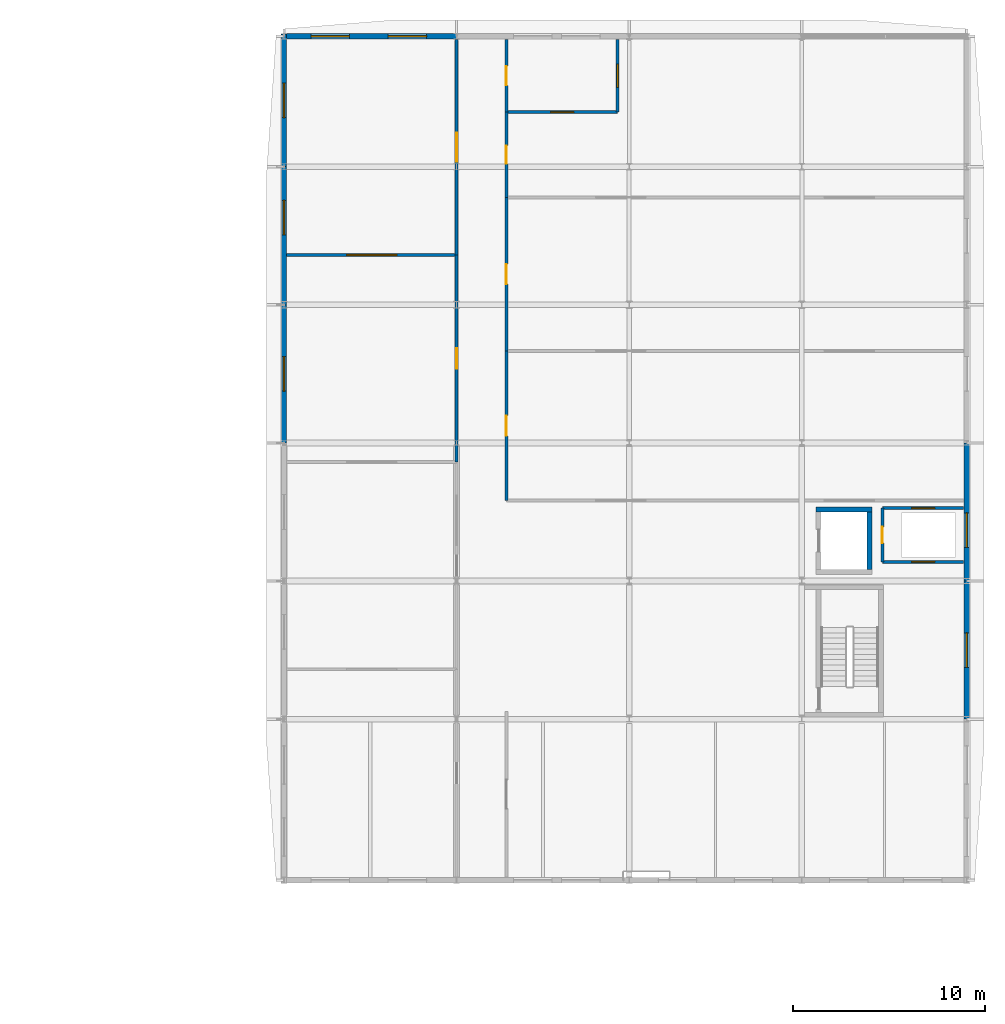
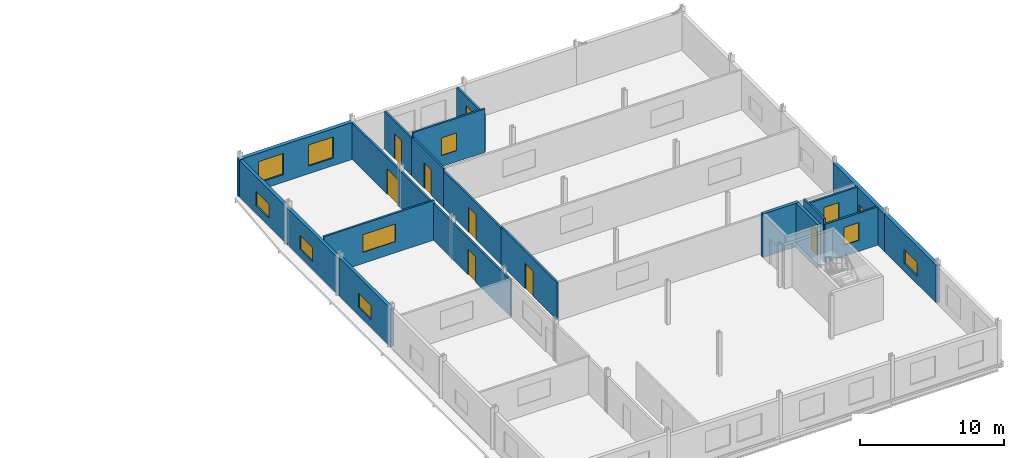
# One storey, part 25 of 30: 20 walls, 12 windows, 7 doors, 19 openings.
"""IFC4 building model written with IfcOpenShell, lengths in metres."""

import ifcopenshell
import ifcopenshell.guid

model = None  # the IFC model being written
_history = None  # IfcOwnerHistory: only IFC2X3 demands one
_inside = {}  # id of a spatial element -> (the spatial element, [elements in it])
_under = {}  # id of a project, library or spatial element -> (it, [spatial elements below it])
_declared = {}  # id of a project -> (the project, [libraries it declares])
_typed = {}  # id of a type object -> (the type object, [elements of that type])
_made_of = {}  # id of a material, layer set ... -> (it, [elements and type objects made of it])


def new_model(schema):
    """Start an empty IFC model of exactly this schema.

    Asked for "IFC4X3", IfcOpenShell would pick the latest addendum, in which some entities
    have other attributes; the version numbers below select the first issue.
    IFC2X3 requires an IfcOwnerHistory on every rooted entity: one is made here for all.
    """
    global model, _history
    if schema == "IFC4X3":
        model = ifcopenshell.file(schema_version=(4, 3, 0, 0))
    else:
        model = ifcopenshell.file(schema=schema)
    _inside.clear()
    _under.clear()
    _declared.clear()
    _typed.clear()
    _made_of.clear()
    _history = None
    if model.schema == "IFC2X3":
        org = make("IfcOrganization", Name="unknown")
        user = make(
            "IfcPersonAndOrganization",
            ThePerson=make("IfcPerson", FamilyName="unknown"),
            TheOrganization=org,
        )
        app = make(
            "IfcApplication",
            ApplicationDeveloper=org,
            Version="unknown",
            ApplicationFullName="unknown",
            ApplicationIdentifier="unknown",
        )
        _history = make(
            "IfcOwnerHistory",
            OwningUser=user,
            OwningApplication=app,
            ChangeAction="ADDED",
            CreationDate=0,
        )
    return model


def make(cls, **values):
    """One entity of the class cls with the attributes given. An attribute that is None is left unset."""
    return model.create_entity(
        cls, **{name: value for name, value in values.items() if value is not None}
    )


def rooted(cls, **values):
    """An entity with a GlobalId (a new one), such as an element, a storey or a relation."""
    return make(cls, GlobalId=ifcopenshell.guid.new(), OwnerHistory=_history, **values)


def si_unit(unit_type, name, prefix=None):
    """IfcSIUnit, for example si_unit("LENGTHUNIT", "METRE", prefix="MILLI")."""
    return make("IfcSIUnit", UnitType=unit_type, Prefix=prefix, Name=name)


def assignment(units):
    """IfcUnitAssignment: the units of a project."""
    return None if units is None else make("IfcUnitAssignment", Units=units)


def point(xyz):
    """IfcCartesianPoint."""
    return None if xyz is None else make("IfcCartesianPoint", Coordinates=xyz)


def direction(xyz):
    """IfcDirection."""
    return None if xyz is None else make("IfcDirection", DirectionRatios=xyz)


def frame(location, z_axis=None, x_axis=None):
    """IfcAxis2Placement3D, a coordinate frame: its origin and axes. An axis left out is left unset."""
    return make(
        "IfcAxis2Placement3D",
        Location=point(location),
        Axis=direction(z_axis),
        RefDirection=direction(x_axis),
    )


def frame_2d(location, x_axis=None):
    """IfcAxis2Placement2D, a coordinate frame in the plane: its origin and x axis."""
    return make(
        "IfcAxis2Placement2D", Location=point(location), RefDirection=direction(x_axis)
    )


def origin():
    """The frame at (0, 0, 0) with its axes left unset."""
    return frame((0.0, 0.0, 0.0))


def place(relative_to, where):
    """IfcLocalPlacement: puts the frame where relative to a parent placement (None: the world)."""
    return make(
        "IfcLocalPlacement", PlacementRelTo=relative_to, RelativePlacement=where
    )


def context(
    kind, dimensions, precision=None, world=None, true_north=None, identifier=None
):
    """IfcGeometricRepresentationContext, for example the 3D "Model" context."""
    return make(
        "IfcGeometricRepresentationContext",
        ContextIdentifier=identifier,
        ContextType=kind,
        CoordinateSpaceDimension=dimensions,
        Precision=precision,
        WorldCoordinateSystem=world,
        TrueNorth=true_north,
    )


def subcontext(parent, identifier, kind, view, scale=None):
    """IfcGeometricRepresentationSubContext, for example "Body" below "Model"."""
    return make(
        "IfcGeometricRepresentationSubContext",
        ContextIdentifier=identifier,
        ContextType=kind,
        ParentContext=parent,
        TargetScale=scale,
        TargetView=view,
    )


def project(units=None, contexts=None):
    """IfcProject with its units and contexts."""
    return rooted(
        "IfcProject",
        Name="project",
        RepresentationContexts=contexts,
        UnitsInContext=assignment(units),
    )


def spatial(cls, under=None, at=None, **own):
    """A site, building, storey or space (cls), placed at a placement, below another one or the project."""
    s = rooted(cls, ObjectPlacement=at, **own)
    if under is not None:
        _under.setdefault(under.id(), (under, []))[1].append(s)
    return s


def profile(cls, at=None, kind="AREA", **sizes):
    """A parametric profile (cls). Its sizes go by their IFC names, for example OverallWidth=200.0."""
    return make(cls, ProfileType=kind, Position=at, **sizes)


def rectangle(**sizes):
    """IfcRectangleProfileDef."""
    return profile("IfcRectangleProfileDef", **sizes)


def extrude(swept, where, along, depth):
    """IfcExtrudedAreaSolid: the profile swept, set in the frame where, extruded along a direction by depth."""
    return make(
        "IfcExtrudedAreaSolid",
        SweptArea=swept,
        Position=where,
        ExtrudedDirection=direction(along),
        Depth=depth,
    )


def shape(context_of_items, identifier, shape_type, items):
    """IfcShapeRepresentation: the items that make up one representation, for example the "Body"."""
    return make(
        "IfcShapeRepresentation",
        ContextOfItems=context_of_items,
        RepresentationIdentifier=identifier,
        RepresentationType=shape_type,
        Items=items,
    )


def material(Name=None, Category=None):
    """IfcMaterial."""
    return make("IfcMaterial", Name=Name, Category=Category)


def layer(
    of_material, thickness, ventilated=None, Name=None, Category=None, Priority=None
):
    """IfcMaterialLayer: one layer of a wall or slab, of a material (None: an air gap)."""
    return make(
        "IfcMaterialLayer",
        Material=of_material,
        LayerThickness=thickness,
        IsVentilated=ventilated,
        Name=Name,
        Category=Category,
        Priority=Priority,
    )


def layer_set(layers, Name=None):
    """IfcMaterialLayerSet."""
    return make("IfcMaterialLayerSet", MaterialLayers=layers, LayerSetName=Name)


def made_of(thing, what):
    """Note that an element or type object is made of a material, layer set ...; save() writes the relation."""
    if what is not None:
        _made_of.setdefault(what.id(), (what, []))[1].append(thing)
    return thing


def type_object(cls, material=None, **own):
    """A type object (cls), such as IfcWallType, which elements share."""
    return made_of(rooted(cls, **own), material)


def element(
    cls,
    number,
    at=None,
    inside=None,
    cuts=None,
    type_object=None,
    material=None,
    context=None,
    identifier="Body",
    shape_type=None,
    held_by="IfcProductDefinitionShape",
    body=None,
    shapes=None,
    **own,
):
    """One element of the class cls, such as IfcWall. Its Tag is "e" and its number.

    at: its placement. inside: the storey or other place that contains it. cuts: it is an
    opening in that element (IfcRelVoidsElement). A single representation is given by context,
    identifier, shape_type and body (its items); several are given by shapes. held_by: the class
    of the entity that holds the representations. save() writes the other relations.
    """
    e = rooted(cls, Tag="e%d" % number, ObjectPlacement=at, **own)
    if body is not None:
        shapes = [shape(context, identifier, shape_type, body)]
    if shapes is not None:
        e.Representation = make(held_by, Representations=shapes)
    if inside is not None:
        _inside.setdefault(inside.id(), (inside, []))[1].append(e)
    if cuts is not None:
        rooted(
            "IfcRelVoidsElement", RelatingBuildingElement=cuts, RelatedOpeningElement=e
        )
    if type_object is not None:
        _typed.setdefault(type_object.id(), (type_object, []))[1].append(e)
    return made_of(e, material)


def fill(opening, filler):
    """IfcRelFillsElement: the door or window that sits in an opening."""
    return rooted(
        "IfcRelFillsElement",
        RelatingOpeningElement=opening,
        RelatedBuildingElement=filler,
    )


def aggregate(whole, parts):
    """IfcRelAggregates: a whole, such as a stair, and the parts it consists of."""
    return rooted("IfcRelAggregates", RelatingObject=whole, RelatedObjects=parts)


def save(model, path):
    """Write the relations noted so far, then the file.

    IfcRelAggregates (storeys below a building ...), IfcRelContainedInSpatialStructure (elements
    in a storey), IfcRelDefinesByType, IfcRelAssociatesMaterial and IfcRelDeclares: one each for
    every whole, place, type object, material and project.
    """
    for whole, parts in _under.values():
        aggregate(whole, parts)
    for where, things in _inside.values():
        rooted(
            "IfcRelContainedInSpatialStructure",
            RelatedElements=things,
            RelatingStructure=where,
        )
    for kind, things in _typed.values():
        rooted("IfcRelDefinesByType", RelatedObjects=things, RelatingType=kind)
    for what, things in _made_of.values():
        rooted("IfcRelAssociatesMaterial", RelatedObjects=things, RelatingMaterial=what)
    for by, libraries in _declared.values():
        rooted("IfcRelDeclares", RelatingContext=by, RelatedDefinitions=libraries)
    model.write(path)


model = new_model("IFC4")

# Units and contexts
model_context = context("Model", 3, precision=1e-05, world=origin(), true_north=direction((0.0, 1.0)))
body_context = subcontext(model_context, "Body", "Model", "MODEL_VIEW")
ifc_project = project(units=[si_unit("LENGTHUNIT", "METRE"), si_unit("AREAUNIT", "SQUARE_METRE"), si_unit("VOLUMEUNIT", "CUBIC_METRE"), si_unit("PLANEANGLEUNIT", "RADIAN"), si_unit("MASSUNIT", "GRAM", prefix="KILO")], contexts=[model_context])

# Site, building, storey
site_placement = place(None, origin())
site = spatial("IfcSite", under=ifc_project, at=site_placement, CompositionType="ELEMENT")
building_placement = place(site_placement, origin())
building = spatial("IfcBuilding", under=site, at=building_placement, Name="Vinh Khe Railworks Police Headquarters", CompositionType="ELEMENT")
storey_placement = place(building_placement, frame((0.0, 0.0, 21.0)))
storey = spatial("IfcBuildingStorey", under=building, at=storey_placement, Name="L05", CompositionType="ELEMENT", Elevation=21.0)

# Walls
ifc_material_1 = material(Name="Concrete C40/50 (B40)", Category="concrete")
ifc_layer_1 = layer(ifc_material_1, 0.25)
ifc_layer_set_1 = layer_set([ifc_layer_1], Name="Concrete C40/50 (B40)")
wall_type_1 = type_object("IfcWallType", Name="Core Shear Wall 250", PredefinedType="SHEAR", material=ifc_layer_set_1)
wall_1_placement = place(storey_placement, frame((105.75, 141.72509765625, 0.0), z_axis=(0.0, 0.0, 1.0), x_axis=(1.0, 0.0, 0.0)))
element("IfcWall", 1, at=wall_1_placement, inside=storey, type_object=wall_type_1, Name="Core C3 PL-N Lift Shaft Wall (L05)", PredefinedType="SHEAR", context=body_context, shape_type="SweptSolid", body=[
    extrude(rectangle(XDim=2.89990234375, YDim=0.25, at=frame_2d((1.449951171875, 0.0))), origin(), (0.0, 0.0, 1.0), 3.699951171875),
])
wall_2_placement = place(storey_placement, frame((108.52490234375, 138.60009765625, 0.0), z_axis=(0.0, 0.0, 1.0), x_axis=(0.0, 1.0, 0.0)))
element("IfcWall", 2, at=wall_2_placement, inside=storey, type_object=wall_type_1, Name="Core C3 PL-E Lift Shaft Wall (L05)", PredefinedType="SHEAR", context=body_context, shape_type="SweptSolid", body=[
    extrude(rectangle(XDim=3.0, YDim=0.25, at=frame_2d((1.5, 0.0))), origin(), (0.0, 0.0, 1.0), 3.699951171875),
])

# Wall, opening, window
ifc_material_2 = material(Name="Clay brickwork", Category="masonry")
ifc_layer_2 = layer(ifc_material_2, 0.260009765625)
ifc_layer_set_2 = layer_set([ifc_layer_2], Name="Clay brickwork")
wall_type_2 = type_object("IfcWallType", Name="EW-BRK-260", PredefinedType="SOLIDWALL", material=ifc_layer_set_2)
wall_3_placement = place(storey_placement, frame((78.0, 145.199951171875, 0.0), z_axis=(0.0, 0.0, 1.0), x_axis=(0.0, 1.0, 0.0)))
wall_3 = element("IfcWall", 3, at=wall_3_placement, inside=storey, type_object=wall_type_2, Name="Exterior Brick Wall EW-L05-V6W-04", PredefinedType="SOLIDWALL", context=body_context, shape_type="SweptSolid", body=[
    extrude(rectangle(XDim=7.199951171875, YDim=0.260009765625, at=frame_2d((3.60009765625, 0.0))), origin(), (0.0, 0.0, 1.0), 3.2451171875),
])
opening_1_placement = place(wall_3_placement, frame((2.699951171875, 0.0, 0.64990234375)))
opening_1 = element("IfcOpeningElement", 4, at=opening_1_placement, cuts=wall_3, Name="Opening WN-08", PredefinedType="OPENING", context=body_context, shape_type="SweptSolid", body=[
    extrude(rectangle(XDim=1.800048828125, YDim=1.199951171875, at=frame_2d((0.89990234375, 0.60009765625))), frame((0.0, 0.14501953125, 0.0), z_axis=(0.0, -1.0, 0.0), x_axis=(1.0, 0.0, 0.0)), (0.0, 0.0, 1.0), 0.289794921875),
])
ifc_material_3 = material(Name="Double-glazed solar-control glass in dark steel frame", Category="steel")
window_type_1 = type_object("IfcWindowType", Name="WIN-WN-08", PartitioningType="SINGLE_PANEL", PredefinedType="WINDOW", material=ifc_material_3)
window_1_placement = place(opening_1_placement, origin())
window_1 = element("IfcWindow", 5, at=window_1_placement, inside=storey, type_object=window_type_1, Name="Casement Window WN-08", OverallHeight=1.199951171875, OverallWidth=1.800048828125, PartitioningType="SINGLE_PANEL", PredefinedType="WINDOW", context=body_context, shape_type="SweptSolid", body=[
    extrude(rectangle(XDim=1.800048828125, YDim=1.199951171875, at=frame_2d((0.89990234375, 0.60009765625))), frame((0.0, 0.030029296875, 0.0), z_axis=(0.0, -1.0, 0.0), x_axis=(1.0, 0.0, 0.0)), (0.0, 0.0, 1.0), 0.06005859375),
])
fill(opening_1, window_1)

wall_4_placement = place(storey_placement, frame((78.0, 152.39990234375, 0.0), z_axis=(0.0, 0.0, 1.0), x_axis=(0.0, 1.0, 0.0)))
wall_4 = element("IfcWall", 6, at=wall_4_placement, inside=storey, type_object=wall_type_2, Name="Exterior Brick Wall EW-L05-V6W-05", PredefinedType="SOLIDWALL", context=body_context, shape_type="SweptSolid", body=[
    extrude(rectangle(XDim=7.2001953125, YDim=0.260009765625, at=frame_2d((3.60009765625, 0.0))), origin(), (0.0, 0.0, 1.0), 3.094970703125),
])
opening_2_placement = place(wall_4_placement, frame((3.64990234375, 0.0, 0.64990234375)))
opening_2 = element("IfcOpeningElement", 7, at=opening_2_placement, cuts=wall_4, Name="Opening WN-08", PredefinedType="OPENING", context=body_context, shape_type="SweptSolid", body=[
    extrude(rectangle(XDim=1.800048828125, YDim=1.199951171875, at=frame_2d((0.89990234375, 0.60009765625))), frame((0.0, 0.14501953125, 0.0), z_axis=(0.0, -1.0, 0.0), x_axis=(1.0, 0.0, 0.0)), (0.0, 0.0, 1.0), 0.289794921875),
])
window_2_placement = place(opening_2_placement, origin())
window_2 = element("IfcWindow", 8, at=window_2_placement, inside=storey, type_object=window_type_1, Name="Casement Window WN-08", OverallHeight=1.199951171875, OverallWidth=1.800048828125, PartitioningType="SINGLE_PANEL", PredefinedType="WINDOW", context=body_context, shape_type="SweptSolid", body=[
    extrude(rectangle(XDim=1.800048828125, YDim=1.199951171875, at=frame_2d((0.89990234375, 0.60009765625))), frame((0.0, 0.030029296875, 0.0), z_axis=(0.0, -1.0, 0.0), x_axis=(1.0, 0.0, 0.0)), (0.0, 0.0, 1.0), 0.06005859375),
])
fill(opening_2, window_2)

wall_5_placement = place(storey_placement, frame((78.0, 159.60009765625, 0.0), z_axis=(0.0, 0.0, 1.0), x_axis=(0.0, 1.0, 0.0)))
wall_5 = element("IfcWall", 9, at=wall_5_placement, inside=storey, type_object=wall_type_2, Name="Exterior Brick Wall EW-L05-V6W-06", PredefinedType="SOLIDWALL", context=body_context, shape_type="SweptSolid", body=[
    extrude(rectangle(XDim=6.929931640625, YDim=0.260009765625, at=frame_2d((3.46484375, 0.0))), origin(), (0.0, 0.0, 1.0), 3.094970703125),
])
opening_3_placement = place(wall_5_placement, frame((2.56494140625, 0.0, 0.64990234375)))
opening_3 = element("IfcOpeningElement", 10, at=opening_3_placement, cuts=wall_5, Name="Opening WN-08", PredefinedType="OPENING", context=body_context, shape_type="SweptSolid", body=[
    extrude(rectangle(XDim=1.800048828125, YDim=1.199951171875, at=frame_2d((0.89990234375, 0.60009765625))), frame((0.0, 0.14501953125, 0.0), z_axis=(0.0, -1.0, 0.0), x_axis=(1.0, 0.0, 0.0)), (0.0, 0.0, 1.0), 0.289794921875),
])
window_3_placement = place(opening_3_placement, origin())
window_3 = element("IfcWindow", 11, at=window_3_placement, inside=storey, type_object=window_type_1, Name="Casement Window WN-08", OverallHeight=1.199951171875, OverallWidth=1.800048828125, PartitioningType="SINGLE_PANEL", PredefinedType="WINDOW", context=body_context, shape_type="SweptSolid", body=[
    extrude(rectangle(XDim=1.800048828125, YDim=1.199951171875, at=frame_2d((0.89990234375, 0.60009765625))), frame((0.0, 0.030029296875, 0.0), z_axis=(0.0, -1.0, 0.0), x_axis=(1.0, 0.0, 0.0)), (0.0, 0.0, 1.0), 0.06005859375),
])
fill(opening_3, window_3)

ifc_layer_3 = layer(ifc_material_2, 0.300048828125)
ifc_layer_set_3 = layer_set([ifc_layer_3], Name="Clay brickwork")
wall_type_3 = type_object("IfcWallType", Name="EW-BRK-300", PredefinedType="SOLIDWALL", material=ifc_layer_set_3)
wall_6_placement = place(storey_placement, frame((113.60009765625, 130.800048828125, 0.0), z_axis=(0.0, 0.0, 1.0), x_axis=(0.0, 1.0, 0.0)))
wall_6 = element("IfcWall", 12, at=wall_6_placement, inside=storey, type_object=wall_type_3, Name="Exterior Brick Wall EW-L05-V6E-02", PredefinedType="SOLIDWALL", context=body_context, shape_type="SweptSolid", body=[
    extrude(rectangle(XDim=7.199951171875, YDim=0.300048828125, at=frame_2d((3.60009765625, 0.0))), origin(), (0.0, 0.0, 1.0), 3.195068359375),
])
opening_4_placement = place(wall_6_placement, frame((2.699951171875, 0.0, 0.64990234375)))
opening_4 = element("IfcOpeningElement", 13, at=opening_4_placement, cuts=wall_6, Name="Opening WN-08", PredefinedType="OPENING", context=body_context, shape_type="SweptSolid", body=[
    extrude(rectangle(XDim=1.800048828125, YDim=1.199951171875, at=frame_2d((0.89990234375, 0.60009765625))), frame((0.0, 0.1650390625, 0.0), z_axis=(0.0, -1.0, 0.0), x_axis=(1.0, 0.0, 0.0)), (0.0, 0.0, 1.0), 0.329833984375),
])
window_4_placement = place(opening_4_placement, origin())
window_4 = element("IfcWindow", 14, at=window_4_placement, inside=storey, type_object=window_type_1, Name="Casement Window WN-08", OverallHeight=1.199951171875, OverallWidth=1.800048828125, PartitioningType="SINGLE_PANEL", PredefinedType="WINDOW", context=body_context, shape_type="SweptSolid", body=[
    extrude(rectangle(XDim=1.800048828125, YDim=1.199951171875, at=frame_2d((0.89990234375, 0.60009765625))), frame((0.0, 0.030029296875, 0.0), z_axis=(0.0, -1.0, 0.0), x_axis=(1.0, 0.0, 0.0)), (0.0, 0.0, 1.0), 0.06005859375),
])
fill(opening_4, window_4)

wall_7_placement = place(storey_placement, frame((113.60009765625, 138.0, 0.0), z_axis=(0.0, 0.0, 1.0), x_axis=(0.0, 1.0, 0.0)))
wall_7 = element("IfcWall", 15, at=wall_7_placement, inside=storey, type_object=wall_type_3, Name="Exterior Brick Wall EW-L05-V6E-03", PredefinedType="SOLIDWALL", context=body_context, shape_type="SweptSolid", body=[
    extrude(rectangle(XDim=7.199951171875, YDim=0.300048828125, at=frame_2d((3.60009765625, 0.0))), origin(), (0.0, 0.0, 1.0), 3.195068359375),
])
opening_5_placement = place(wall_7_placement, frame((1.75, 0.0, 0.64990234375)))
opening_5 = element("IfcOpeningElement", 16, at=opening_5_placement, cuts=wall_7, Name="Opening WN-08", PredefinedType="OPENING", context=body_context, shape_type="SweptSolid", body=[
    extrude(rectangle(XDim=1.800048828125, YDim=1.199951171875, at=frame_2d((0.89990234375, 0.60009765625))), frame((0.0, 0.1650390625, 0.0), z_axis=(0.0, -1.0, 0.0), x_axis=(1.0, 0.0, 0.0)), (0.0, 0.0, 1.0), 0.329833984375),
])
window_5_placement = place(opening_5_placement, origin())
window_5 = element("IfcWindow", 17, at=window_5_placement, inside=storey, type_object=window_type_1, Name="Casement Window WN-08", OverallHeight=1.199951171875, OverallWidth=1.800048828125, PartitioningType="SINGLE_PANEL", PredefinedType="WINDOW", context=body_context, shape_type="SweptSolid", body=[
    extrude(rectangle(XDim=1.800048828125, YDim=1.199951171875, at=frame_2d((0.89990234375, 0.60009765625))), frame((0.0, 0.030029296875, 0.0), z_axis=(0.0, -1.0, 0.0), x_axis=(1.0, 0.0, 0.0)), (0.0, 0.0, 1.0), 0.06005859375),
])
fill(opening_5, window_5)

# Wall, openings, windows
wall_8_placement = place(storey_placement, frame((77.85009765625, 166.39990234375, 0.0), z_axis=(0.0, 0.0, 1.0), x_axis=(1.0, 0.0, 0.0)))
wall_8 = element("IfcWall", 18, at=wall_8_placement, inside=storey, type_object=wall_type_3, Name="Exterior Brick Wall EW-L05-V6N-01", PredefinedType="SOLIDWALL", context=body_context, shape_type="SweptSolid", body=[
    extrude(rectangle(XDim=9.14990234375, YDim=0.300048828125, at=frame_2d((4.574951171875, 0.0))), origin(), (0.0, 0.0, 1.0), 3.155029296875),
])
opening_6_placement = place(wall_8_placement, frame((1.56201171875, 0.0, 0.64990234375)))
opening_6 = element("IfcOpeningElement", 19, at=opening_6_placement, cuts=wall_8, Name="Opening WN-04", PredefinedType="OPENING", context=body_context, shape_type="SweptSolid", body=[
    extrude(rectangle(XDim=2.0, YDim=1.800048828125, at=frame_2d((1.0, 0.89990234375))), frame((0.0, 0.1650390625, 0.0), z_axis=(0.0, -1.0, 0.0), x_axis=(1.0, 0.0, 0.0)), (0.0, 0.0, 1.0), 0.329833984375),
])
opening_7_placement = place(wall_8_placement, frame((5.587890625, 0.0, 0.64990234375)))
opening_7 = element("IfcOpeningElement", 20, at=opening_7_placement, cuts=wall_8, Name="Opening WN-04", PredefinedType="OPENING", context=body_context, shape_type="SweptSolid", body=[
    extrude(rectangle(XDim=2.0, YDim=1.800048828125, at=frame_2d((1.0, 0.89990234375))), frame((0.0, 0.1650390625, 0.0), z_axis=(0.0, -1.0, 0.0), x_axis=(1.0, 0.0, 0.0)), (0.0, 0.0, 1.0), 0.329833984375),
])
window_type_2 = type_object("IfcWindowType", Name="WIN-WN-04", PartitioningType="DOUBLE_PANEL_VERTICAL", PredefinedType="WINDOW", material=ifc_material_3)
window_6_placement = place(opening_6_placement, origin())
window_6 = element("IfcWindow", 21, at=window_6_placement, inside=storey, type_object=window_type_2, Name="Casement Window WN-04", OverallHeight=1.800048828125, OverallWidth=2.0, PartitioningType="SINGLE_PANEL", PredefinedType="WINDOW", context=body_context, shape_type="SweptSolid", body=[
    extrude(rectangle(XDim=2.0, YDim=1.800048828125, at=frame_2d((1.0, 0.89990234375))), frame((0.0, 0.030029296875, 0.0), z_axis=(0.0, -1.0, 0.0), x_axis=(1.0, 0.0, 0.0)), (0.0, 0.0, 1.0), 0.06005859375),
])
fill(opening_6, window_6)
window_7_placement = place(opening_7_placement, origin())
window_7 = element("IfcWindow", 22, at=window_7_placement, inside=storey, type_object=window_type_2, Name="Casement Window WN-04", OverallHeight=1.800048828125, OverallWidth=2.0, PartitioningType="SINGLE_PANEL", PredefinedType="WINDOW", context=body_context, shape_type="SweptSolid", body=[
    extrude(rectangle(XDim=2.0, YDim=1.800048828125, at=frame_2d((1.0, 0.89990234375))), frame((0.0, 0.030029296875, 0.0), z_axis=(0.0, -1.0, 0.0), x_axis=(1.0, 0.0, 0.0)), (0.0, 0.0, 1.0), 0.06005859375),
])
fill(opening_7, window_7)

# Wall, opening, window
ifc_material_4 = material(Name="Gypsum plasterboard on steel stud", Category="steel")
ifc_layer_4 = layer(ifc_material_4, 0.1201171875)
ifc_layer_set_4 = layer_set([ifc_layer_4], Name="Gypsum plasterboard on steel stud")
wall_type_4 = type_object("IfcWallType", Name="IW-PART-120", PredefinedType="PARTITIONING", material=ifc_layer_set_4)
wall_9_placement = place(storey_placement, frame((78.139892578125, 155.0, 0.0), z_axis=(0.0, 0.0, 1.0), x_axis=(1.0, 0.0, 0.0)))
wall_9 = element("IfcWall", 23, at=wall_9_placement, inside=storey, type_object=wall_type_4, Name="Interior Partition W-L05-V6B-COLD-DIV", PredefinedType="PARTITIONING", context=body_context, shape_type="SweptSolid", body=[
    extrude(rectangle(XDim=8.860107421875, YDim=0.14990234375, at=frame_2d((4.43017578125, 0.0))), origin(), (0.0, 0.0, 1.0), 3.364990234375),
])
opening_8_placement = place(wall_9_placement, frame((3.1298828125, 0.0, 0.949951171875)))
opening_8 = element("IfcOpeningElement", 24, at=opening_8_placement, cuts=wall_9, Name="Opening WN-07", PredefinedType="OPENING", context=body_context, shape_type="SweptSolid", body=[
    extrude(rectangle(XDim=2.60009765625, YDim=1.5, at=frame_2d((1.300048828125, 0.75))), frame((0.0, 0.08984375, 0.0), z_axis=(0.0, -1.0, 0.0), x_axis=(1.0, 0.0, 0.0)), (0.0, 0.0, 1.0), 0.1796875),
])
window_type_3 = type_object("IfcWindowType", Name="WIN-WN-07", PartitioningType="DOUBLE_PANEL_HORIZONTAL", PredefinedType="WINDOW", material=ifc_material_3)
window_8_placement = place(opening_8_placement, origin())
window_8 = element("IfcWindow", 25, at=window_8_placement, inside=storey, type_object=window_type_3, Name="Interior Acoustic Vision Window WN-07", OverallHeight=1.5, OverallWidth=2.60009765625, PartitioningType="SINGLE_PANEL", PredefinedType="WINDOW", context=body_context, shape_type="SweptSolid", body=[
    extrude(rectangle(XDim=2.60009765625, YDim=1.5, at=frame_2d((1.300048828125, 0.75))), frame((0.0, 0.030029296875, 0.0), z_axis=(0.0, -1.0, 0.0), x_axis=(1.0, 0.0, 0.0)), (0.0, 0.0, 1.0), 0.06005859375),
])
fill(opening_8, window_8)

wall_10_placement = place(storey_placement, frame((89.60009765625, 162.447021484375, 0.0), z_axis=(0.0, 0.0, 1.0), x_axis=(1.0, 0.0, 0.0)))
wall_10 = element("IfcWall", 26, at=wall_10_placement, inside=storey, type_object=wall_type_4, Name="Interior Partition W-L05-V6B-V6WC5S-DIV", PredefinedType="PARTITIONING", context=body_context, shape_type="SweptSolid", body=[
    extrude(rectangle(XDim=5.7998046875, YDim=0.14990234375, at=frame_2d((2.89990234375, 0.0))), origin(), (0.0, 0.0, 1.0), 3.695068359375),
])
opening_9_placement = place(wall_10_placement, frame((2.300048828125, 0.0, 0.949951171875)))
opening_9 = element("IfcOpeningElement", 27, at=opening_9_placement, cuts=wall_10, Name="Opening WN-10", PredefinedType="OPENING", context=body_context, shape_type="SweptSolid", body=[
    extrude(rectangle(XDim=1.199951171875, YDim=1.5, at=frame_2d((0.60009765625, 0.75))), frame((0.0, 0.08984375, 0.0), z_axis=(0.0, -1.0, 0.0), x_axis=(1.0, 0.0, 0.0)), (0.0, 0.0, 1.0), 0.1796875),
])
window_type_4 = type_object("IfcWindowType", Name="WIN-WN-10", PartitioningType="SINGLE_PANEL", PredefinedType="WINDOW", material=ifc_material_3)
window_9_placement = place(opening_9_placement, origin())
window_9 = element("IfcWindow", 28, at=window_9_placement, inside=storey, type_object=window_type_4, Name="Interior Acoustic Vision Window WN-10", OverallHeight=1.5, OverallWidth=1.199951171875, PartitioningType="SINGLE_PANEL", PredefinedType="WINDOW", context=body_context, shape_type="SweptSolid", body=[
    extrude(rectangle(XDim=1.199951171875, YDim=1.5, at=frame_2d((0.60009765625, 0.75))), frame((0.0, 0.030029296875, 0.0), z_axis=(0.0, -1.0, 0.0), x_axis=(1.0, 0.0, 0.0)), (0.0, 0.0, 1.0), 0.06005859375),
])
fill(opening_9, window_9)

wall_11_placement = place(storey_placement, frame((95.39990234375, 162.447021484375, 0.0), z_axis=(0.0, 0.0, 1.0), x_axis=(0.0, 1.0, 0.0)))
wall_11 = element("IfcWall", 29, at=wall_11_placement, inside=storey, type_object=wall_type_4, Name="Interior Partition W-L05-V6B-V6WC5-REAR", PredefinedType="PARTITIONING", context=body_context, shape_type="SweptSolid", body=[
    extrude(rectangle(XDim=3.79296875, YDim=0.14990234375, at=frame_2d((1.896484375, 0.0))), origin(), (0.0, 0.0, 1.0), 3.205078125),
])
opening_10_placement = place(wall_11_placement, frame((1.29638671875, 0.0, 0.949951171875)))
opening_10 = element("IfcOpeningElement", 30, at=opening_10_placement, cuts=wall_11, Name="Opening WN-10", PredefinedType="OPENING", context=body_context, shape_type="SweptSolid", body=[
    extrude(rectangle(XDim=1.199951171875, YDim=1.5, at=frame_2d((0.60009765625, 0.75))), frame((0.0, 0.08984375, 0.0), z_axis=(0.0, -1.0, 0.0), x_axis=(1.0, 0.0, 0.0)), (0.0, 0.0, 1.0), 0.1796875),
])
window_10_placement = place(opening_10_placement, origin())
window_10 = element("IfcWindow", 31, at=window_10_placement, inside=storey, type_object=window_type_4, Name="Interior Acoustic Vision Window WN-10", OverallHeight=1.5, OverallWidth=1.199951171875, PartitioningType="SINGLE_PANEL", PredefinedType="WINDOW", context=body_context, shape_type="SweptSolid", body=[
    extrude(rectangle(XDim=1.199951171875, YDim=1.5, at=frame_2d((0.60009765625, 0.75))), frame((0.0, 0.030029296875, 0.0), z_axis=(0.0, -1.0, 0.0), x_axis=(1.0, 0.0, 0.0)), (0.0, 0.0, 1.0), 0.06005859375),
])
fill(opening_10, window_10)

ifc_material_5 = material(Name="Gypsum plasterboard on acoustic steel stud", Category="steel")
ifc_layer_5 = layer(ifc_material_5, 0.14990234375)
ifc_layer_set_5 = layer_set([ifc_layer_5], Name="Gypsum plasterboard on acoustic steel stud")
wall_type_5 = type_object("IfcWallType", Name="IW-PART-150", PredefinedType="PARTITIONING", material=ifc_layer_set_5)
wall_12_placement = place(storey_placement, frame((109.199951171875, 139.0, 0.0), z_axis=(0.0, 0.0, 1.0), x_axis=(1.0, 0.0, 0.0)))
wall_12 = element("IfcWall", 32, at=wall_12_placement, inside=storey, type_object=wall_type_5, Name="Interior Partition W-RSR-C3-S-L05", PredefinedType="PARTITIONING", context=body_context, shape_type="SweptSolid", body=[
    extrude(rectangle(XDim=4.239990234375, YDim=0.14990234375, at=frame_2d((2.1201171875, 0.0))), origin(), (0.0, 0.0, 1.0), 3.2451171875),
])
opening_11_placement = place(wall_12_placement, frame((1.52001953125, 0.0, 0.949951171875)))
opening_11 = element("IfcOpeningElement", 33, at=opening_11_placement, cuts=wall_12, Name="Opening WN-10", PredefinedType="OPENING", context=body_context, shape_type="SweptSolid", body=[
    extrude(rectangle(XDim=1.199951171875, YDim=1.5, at=frame_2d((0.60009765625, 0.75))), frame((0.0, 0.08984375, 0.0), z_axis=(0.0, -1.0, 0.0), x_axis=(1.0, 0.0, 0.0)), (0.0, 0.0, 1.0), 0.1796875),
])
window_11_placement = place(opening_11_placement, origin())
window_11 = element("IfcWindow", 34, at=window_11_placement, inside=storey, type_object=window_type_4, Name="Interior Acoustic Vision Window WN-10", OverallHeight=1.5, OverallWidth=1.199951171875, PartitioningType="SINGLE_PANEL", PredefinedType="WINDOW", context=body_context, shape_type="SweptSolid", body=[
    extrude(rectangle(XDim=1.199951171875, YDim=1.5, at=frame_2d((0.60009765625, 0.75))), frame((0.0, 0.030029296875, 0.0), z_axis=(0.0, -1.0, 0.0), x_axis=(1.0, 0.0, 0.0)), (0.0, 0.0, 1.0), 0.06005859375),
])
fill(opening_11, window_11)

wall_13_placement = place(storey_placement, frame((109.199951171875, 141.800048828125, 0.0), z_axis=(0.0, 0.0, 1.0), x_axis=(1.0, 0.0, 0.0)))
wall_13 = element("IfcWall", 35, at=wall_13_placement, inside=storey, type_object=wall_type_5, Name="Interior Partition W-RSR-C3-N-L05", PredefinedType="PARTITIONING", context=body_context, shape_type="SweptSolid", body=[
    extrude(rectangle(XDim=4.239990234375, YDim=0.14990234375, at=frame_2d((2.1201171875, 0.0))), origin(), (0.0, 0.0, 1.0), 3.2451171875),
])
opening_12_placement = place(wall_13_placement, frame((1.52001953125, 0.0, 0.949951171875)))
opening_12 = element("IfcOpeningElement", 36, at=opening_12_placement, cuts=wall_13, Name="Opening WN-10", PredefinedType="OPENING", context=body_context, shape_type="SweptSolid", body=[
    extrude(rectangle(XDim=1.199951171875, YDim=1.5, at=frame_2d((0.60009765625, 0.75))), frame((0.0, 0.08984375, 0.0), z_axis=(0.0, -1.0, 0.0), x_axis=(1.0, 0.0, 0.0)), (0.0, 0.0, 1.0), 0.1796875),
])
window_12_placement = place(opening_12_placement, origin())
window_12 = element("IfcWindow", 37, at=window_12_placement, inside=storey, type_object=window_type_4, Name="Interior Acoustic Vision Window WN-10", OverallHeight=1.5, OverallWidth=1.199951171875, PartitioningType="SINGLE_PANEL", PredefinedType="WINDOW", context=body_context, shape_type="SweptSolid", body=[
    extrude(rectangle(XDim=1.199951171875, YDim=1.5, at=frame_2d((0.60009765625, 0.75))), frame((0.0, 0.030029296875, 0.0), z_axis=(0.0, -1.0, 0.0), x_axis=(1.0, 0.0, 0.0)), (0.0, 0.0, 1.0), 0.06005859375),
])
fill(opening_12, window_12)

# Wall, opening, door
wall_14_placement = place(storey_placement, frame((109.199951171875, 139.0, 0.0), z_axis=(0.0, 0.0, 1.0), x_axis=(0.0, 1.0, 0.0)))
wall_14 = element("IfcWall", 38, at=wall_14_placement, inside=storey, type_object=wall_type_5, Name="Interior Partition W-RSR-C3-W-L05", PredefinedType="PARTITIONING", context=body_context, shape_type="SweptSolid", body=[
    extrude(rectangle(XDim=2.800048828125, YDim=0.14990234375, at=frame_2d((1.39990234375, 0.0))), origin(), (0.0, 0.0, 1.0), 3.695068359375),
])
opening_13_placement = place(wall_14_placement, frame((0.97509765625, 0.0, 0.0)))
opening_13 = element("IfcOpeningElement", 39, at=opening_13_placement, cuts=wall_14, Name="Opening FD-04", PredefinedType="OPENING", context=body_context, shape_type="SweptSolid", body=[
    extrude(rectangle(XDim=0.85009765625, YDim=2.10009765625, at=frame_2d((0.425048828125, 1.050048828125))), frame((0.0, 0.08984375, 0.0), z_axis=(0.0, -1.0, 0.0), x_axis=(1.0, 0.0, 0.0)), (0.0, 0.0, 1.0), 0.1796875),
])
ifc_material_6 = material(Name="Painted galvanised steel", Category="steel")
door_type_1 = type_object("IfcDoorType", Name="FD-850x2100", OperationType="NOTDEFINED", PredefinedType="DOOR", material=ifc_material_6)
door_1_placement = place(opening_13_placement, frame((0.85009765625, 0.0, 0.0), z_axis=(0.0, 0.0, 1.0), x_axis=(-1.0, 0.0, 0.0)))
door_1 = element("IfcDoor", 40, at=door_1_placement, inside=storey, type_object=door_type_1, Name="Fume Riser Access Door", OperationType="SINGLE_SWING_LEFT", OverallHeight=2.10009765625, OverallWidth=0.85009765625, PredefinedType="DOOR", context=body_context, shape_type="SweptSolid", body=[
    extrude(rectangle(XDim=0.85009765625, YDim=2.10009765625, at=frame_2d((0.425048828125, 1.050048828125))), frame((0.0, 0.02490234375, 0.0), z_axis=(0.0, -1.0, 0.0), x_axis=(1.0, 0.0, 0.0)), (0.0, 0.0, 1.0), 0.050048828125),
])
fill(opening_13, door_1)

wall_15_placement = place(storey_placement, frame((87.0, 144.199951171875, 0.0), z_axis=(0.0, 0.0, 1.0), x_axis=(0.0, 1.0, 0.0)))
wall_15 = element("IfcWall", 41, at=wall_15_placement, inside=storey, type_object=wall_type_5, Name="Interior Partition W-L05-V6B-FQA-CW", PredefinedType="PARTITIONING", context=body_context, shape_type="SweptSolid", body=[
    extrude(rectangle(XDim=10.800048828125, YDim=0.14990234375, at=frame_2d((5.39990234375, 0.0))), origin(), (0.0, 0.0, 1.0), 3.10498046875),
])
opening_14_placement = place(wall_15_placement, frame((4.875, 0.0, 0.0)))
opening_14 = element("IfcOpeningElement", 42, at=opening_14_placement, cuts=wall_15, Name="Opening D-02", PredefinedType="OPENING", context=body_context, shape_type="SweptSolid", body=[
    extrude(rectangle(XDim=1.050048828125, YDim=2.14990234375, at=frame_2d((0.52490234375, 1.074951171875))), frame((0.0, 0.08984375, 0.0), z_axis=(0.0, -1.0, 0.0), x_axis=(1.0, 0.0, 0.0)), (0.0, 0.0, 1.0), 0.1796875),
])
ifc_material_7 = material(Name="Seasoned hardwood timber", Category="wood")
door_type_2 = type_object("IfcDoorType", Name="ID-1050x2150", OperationType="NOTDEFINED", PredefinedType="DOOR", material=ifc_material_7)
door_2_placement = place(opening_14_placement, origin())
door_2 = element("IfcDoor", 43, at=door_2_placement, inside=storey, type_object=door_type_2, Name="Forensic Quality Assurance Office Door", OperationType="SINGLE_SWING_LEFT", OverallHeight=2.14990234375, OverallWidth=1.050048828125, PredefinedType="DOOR", context=body_context, shape_type="SweptSolid", body=[
    extrude(rectangle(XDim=1.050048828125, YDim=2.14990234375, at=frame_2d((0.52490234375, 1.074951171875))), frame((0.0, 0.02490234375, 0.0), z_axis=(0.0, -1.0, 0.0), x_axis=(1.0, 0.0, 0.0)), (0.0, 0.0, 1.0), 0.050048828125),
])
fill(opening_14, door_2)

wall_16_placement = place(storey_placement, frame((87.0, 155.0, 0.0), z_axis=(0.0, 0.0, 1.0), x_axis=(0.0, 1.0, 0.0)))
wall_16 = element("IfcWall", 44, at=wall_16_placement, inside=storey, type_object=wall_type_5, Name="Interior Partition W-L05-V6B-COLD-CW", PredefinedType="PARTITIONING", context=body_context, shape_type="SweptSolid", body=[
    extrude(rectangle(XDim=11.239990234375, YDim=0.14990234375, at=frame_2d((5.6201171875, 0.0))), origin(), (0.0, 0.0, 1.0), 3.094970703125),
])
opening_15_placement = place(wall_16_placement, frame((4.8701171875, 0.0, 0.0)))
opening_15 = element("IfcOpeningElement", 45, at=opening_15_placement, cuts=wall_16, Name="Opening FD-02", PredefinedType="OPENING", context=body_context, shape_type="SweptSolid", body=[
    extrude(rectangle(XDim=1.5, YDim=2.14990234375, at=frame_2d((0.75, 1.074951171875))), frame((0.0, 0.08984375, 0.0), z_axis=(0.0, -1.0, 0.0), x_axis=(1.0, 0.0, 0.0)), (0.0, 0.0, 1.0), 0.1796875),
])
door_type_3 = type_object("IfcDoorType", Name="FD-1500x2150", OperationType="DOUBLE_DOOR_SINGLE_SWING", PredefinedType="DOOR", material=ifc_material_6)
door_3_placement = place(opening_15_placement, origin())
door_3 = element("IfcDoor", 46, at=door_3_placement, inside=storey, type_object=door_type_3, Name="Forensic Cold Evidence Store Door", OperationType="DOUBLE_DOOR_SINGLE_SWING", OverallHeight=2.14990234375, OverallWidth=1.5, PredefinedType="DOOR", context=body_context, shape_type="SweptSolid", body=[
    extrude(rectangle(XDim=1.5, YDim=2.14990234375, at=frame_2d((0.75, 1.074951171875))), frame((0.0, 0.02490234375, 0.0), z_axis=(0.0, -1.0, 0.0), x_axis=(1.0, 0.0, 0.0)), (0.0, 0.0, 1.0), 0.050048828125),
])
fill(opening_15, door_3)

wall_17_placement = place(storey_placement, frame((89.60009765625, 142.199951171875, 0.0), z_axis=(0.0, 0.0, 1.0), x_axis=(0.0, 1.0, 0.0)))
wall_17 = element("IfcWall", 47, at=wall_17_placement, inside=storey, type_object=wall_type_5, Name="Interior Partition W-L05-V6B-ASSM1-CE", PredefinedType="PARTITIONING", context=body_context, shape_type="SweptSolid", body=[
    extrude(rectangle(XDim=7.800048828125, YDim=0.14990234375, at=frame_2d((3.89990234375, 0.0))), origin(), (0.0, 0.0, 1.0), 3.205078125),
])
opening_16_placement = place(wall_17_placement, frame((3.375, 0.0, 0.0)))
opening_16 = element("IfcOpeningElement", 48, at=opening_16_placement, cuts=wall_17, Name="Opening D-02", PredefinedType="OPENING", context=body_context, shape_type="SweptSolid", body=[
    extrude(rectangle(XDim=1.050048828125, YDim=2.14990234375, at=frame_2d((0.52490234375, 1.074951171875))), frame((0.0, 0.08984375, 0.0), z_axis=(0.0, -1.0, 0.0), x_axis=(1.0, 0.0, 0.0)), (0.0, 0.0, 1.0), 0.1796875),
])
door_4_placement = place(opening_16_placement, origin())
door_4 = element("IfcDoor", 49, at=door_4_placement, inside=storey, type_object=door_type_2, Name="Training Assessment Suite 01 Door", OperationType="SINGLE_SWING_RIGHT", OverallHeight=2.14990234375, OverallWidth=1.050048828125, PredefinedType="DOOR", context=body_context, shape_type="SweptSolid", body=[
    extrude(rectangle(XDim=1.050048828125, YDim=2.14990234375, at=frame_2d((0.52490234375, 1.074951171875))), frame((0.0, 0.02490234375, 0.0), z_axis=(0.0, -1.0, 0.0), x_axis=(1.0, 0.0, 0.0)), (0.0, 0.0, 1.0), 0.050048828125),
])
fill(opening_16, door_4)

wall_18_placement = place(storey_placement, frame((89.60009765625, 150.0, 0.0), z_axis=(0.0, 0.0, 1.0), x_axis=(0.0, 1.0, 0.0)))
wall_18 = element("IfcWall", 50, at=wall_18_placement, inside=storey, type_object=wall_type_5, Name="Interior Partition W-L05-V6B-ASSM2-CE", PredefinedType="PARTITIONING", context=body_context, shape_type="SweptSolid", body=[
    extrude(rectangle(XDim=8.0, YDim=0.14990234375, at=frame_2d((4.0, 0.0))), origin(), (0.0, 0.0, 1.0), 3.10498046875),
])
opening_17_placement = place(wall_18_placement, frame((3.47509765625, 0.0, 0.0)))
opening_17 = element("IfcOpeningElement", 51, at=opening_17_placement, cuts=wall_18, Name="Opening D-02", PredefinedType="OPENING", context=body_context, shape_type="SweptSolid", body=[
    extrude(rectangle(XDim=1.050048828125, YDim=2.14990234375, at=frame_2d((0.52490234375, 1.074951171875))), frame((0.0, 0.08984375, 0.0), z_axis=(0.0, -1.0, 0.0), x_axis=(1.0, 0.0, 0.0)), (0.0, 0.0, 1.0), 0.1796875),
])
door_5_placement = place(opening_17_placement, origin())
door_5 = element("IfcDoor", 52, at=door_5_placement, inside=storey, type_object=door_type_2, Name="Training Assessment Suite 02 Door", OperationType="SINGLE_SWING_LEFT", OverallHeight=2.14990234375, OverallWidth=1.050048828125, PredefinedType="DOOR", context=body_context, shape_type="SweptSolid", body=[
    extrude(rectangle(XDim=1.050048828125, YDim=2.14990234375, at=frame_2d((0.52490234375, 1.074951171875))), frame((0.0, 0.02490234375, 0.0), z_axis=(0.0, -1.0, 0.0), x_axis=(1.0, 0.0, 0.0)), (0.0, 0.0, 1.0), 0.050048828125),
])
fill(opening_17, door_5)

wall_19_placement = place(storey_placement, frame((89.60009765625, 158.0, 0.0), z_axis=(0.0, 0.0, 1.0), x_axis=(0.0, 1.0, 0.0)))
wall_19 = element("IfcWall", 53, at=wall_19_placement, inside=storey, type_object=wall_type_5, Name="Interior Partition W-L05-V6B-V6WC5S-CE", PredefinedType="PARTITIONING", context=body_context, shape_type="SweptSolid", body=[
    extrude(rectangle(XDim=4.447021484375, YDim=0.14990234375, at=frame_2d((2.2236328125, 0.0))), origin(), (0.0, 0.0, 1.0), 3.304931640625),
])
opening_18_placement = place(wall_19_placement, frame((1.7490234375, 0.0, 0.0)))
opening_18 = element("IfcOpeningElement", 54, at=opening_18_placement, cuts=wall_19, Name="Opening D-01", PredefinedType="OPENING", context=body_context, shape_type="SweptSolid", body=[
    extrude(rectangle(XDim=0.949951171875, YDim=2.14990234375, at=frame_2d((0.47509765625, 1.074951171875))), frame((0.0, 0.08984375, 0.0), z_axis=(0.0, -1.0, 0.0), x_axis=(1.0, 0.0, 0.0)), (0.0, 0.0, 1.0), 0.1796875),
])
door_type_4 = type_object("IfcDoorType", Name="ID-950x2150", OperationType="NOTDEFINED", PredefinedType="DOOR", material=ifc_material_7)
door_6_placement = place(opening_18_placement, origin())
door_6 = element("IfcDoor", 55, at=door_6_placement, inside=storey, type_object=door_type_4, Name="Floor Supplies Store Door", OperationType="SINGLE_SWING_RIGHT", OverallHeight=2.14990234375, OverallWidth=0.949951171875, PredefinedType="DOOR", context=body_context, shape_type="SweptSolid", body=[
    extrude(rectangle(XDim=0.949951171875, YDim=2.14990234375, at=frame_2d((0.47509765625, 1.074951171875))), frame((0.0, 0.02490234375, 0.0), z_axis=(0.0, -1.0, 0.0), x_axis=(1.0, 0.0, 0.0)), (0.0, 0.0, 1.0), 0.050048828125),
])
fill(opening_18, door_6)

wall_20_placement = place(storey_placement, frame((89.60009765625, 162.447021484375, 0.0), z_axis=(0.0, 0.0, 1.0), x_axis=(0.0, 1.0, 0.0)))
wall_20 = element("IfcWall", 56, at=wall_20_placement, inside=storey, type_object=wall_type_5, Name="Interior Partition W-L05-V6B-V6WC5-CE", PredefinedType="PARTITIONING", context=body_context, shape_type="SweptSolid", body=[
    extrude(rectangle(XDim=3.79296875, YDim=0.14990234375, at=frame_2d((1.896484375, 0.0))), origin(), (0.0, 0.0, 1.0), 3.205078125),
])
opening_19_placement = place(wall_20_placement, frame((1.39697265625, 0.0, 0.0)))
opening_19 = element("IfcOpeningElement", 57, at=opening_19_placement, cuts=wall_20, Name="Opening D-05", PredefinedType="OPENING", context=body_context, shape_type="SweptSolid", body=[
    extrude(rectangle(XDim=1.0, YDim=2.14990234375, at=frame_2d((0.5, 1.074951171875))), frame((0.0, 0.08984375, 0.0), z_axis=(0.0, -1.0, 0.0), x_axis=(1.0, 0.0, 0.0)), (0.0, 0.0, 1.0), 0.1796875),
])
door_type_5 = type_object("IfcDoorType", Name="ID-1000x2150", OperationType="NOTDEFINED", PredefinedType="DOOR", material=ifc_material_7)
door_7_placement = place(opening_19_placement, origin())
door_7 = element("IfcDoor", 58, at=door_7_placement, inside=storey, type_object=door_type_5, Name="Staff and Accessible WC L05 East Door", OperationType="SINGLE_SWING_LEFT", OverallHeight=2.14990234375, OverallWidth=1.0, PredefinedType="DOOR", context=body_context, shape_type="SweptSolid", body=[
    extrude(rectangle(XDim=1.0, YDim=2.14990234375, at=frame_2d((0.5, 1.074951171875))), frame((0.0, 0.02490234375, 0.0), z_axis=(0.0, -1.0, 0.0), x_axis=(1.0, 0.0, 0.0)), (0.0, 0.0, 1.0), 0.050048828125),
])
fill(opening_19, door_7)

save(model, "model.ifc")
